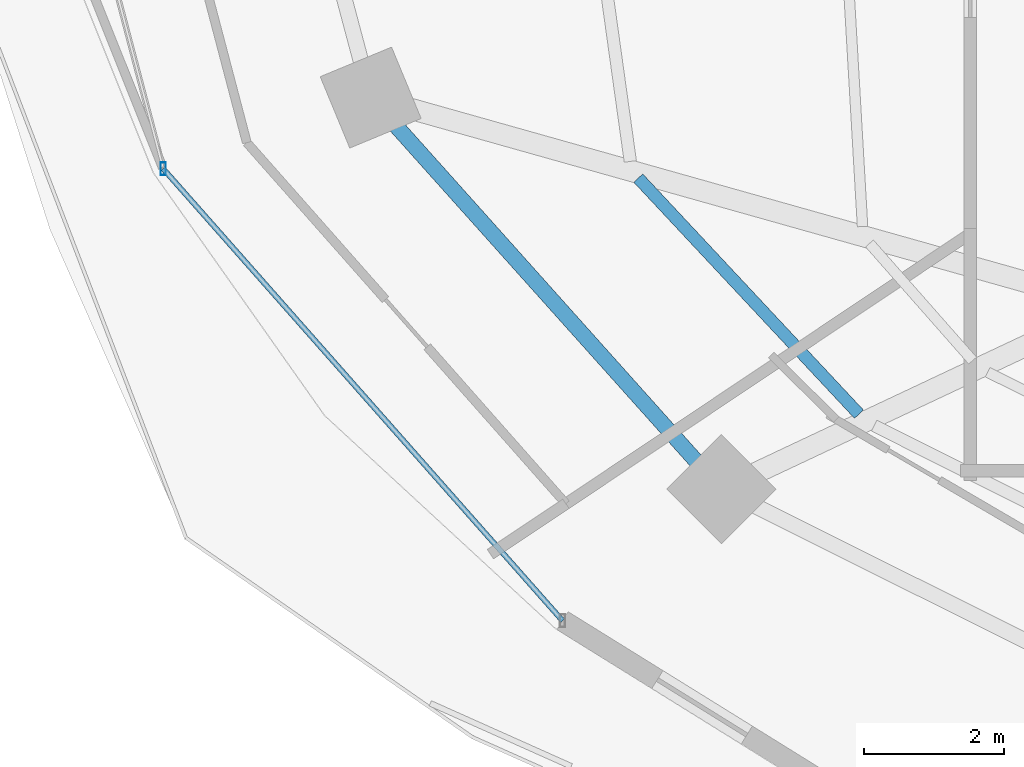
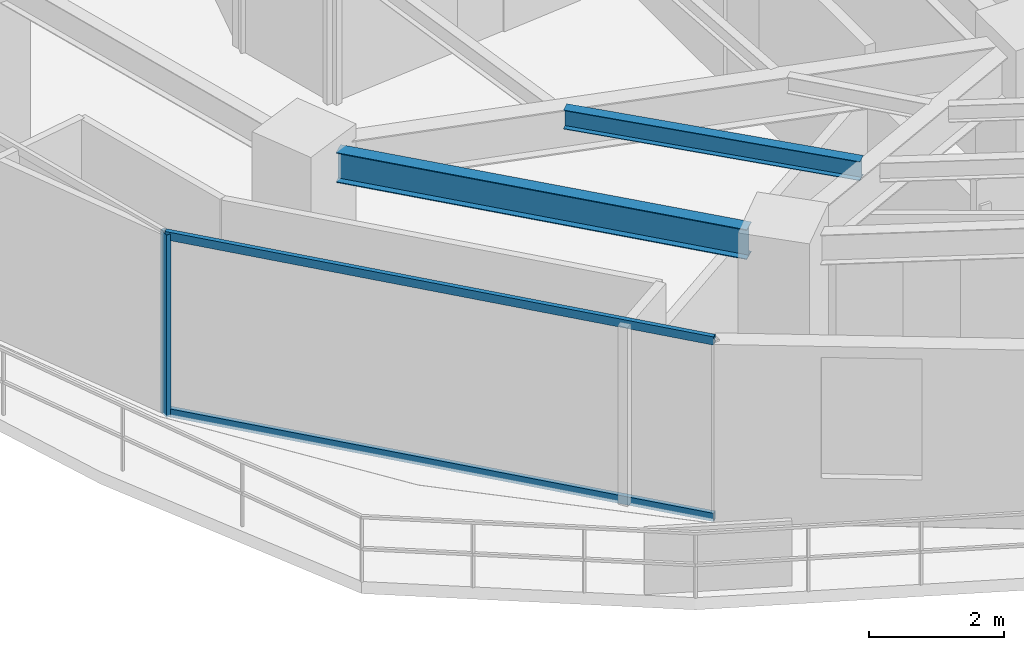
# One storey, part 3 of 29: 3 members, 2 beams, 1 element without a shape of its own.
"""IFC4 building model written with IfcOpenShell, lengths in metres."""

from ifc_helpers import new_model, si_unit, direction, frame, origin, origin_2d, place, context, subcontext, project, spatial, hollow_rectangle, i_section, extrude, material, material_profile, profile_set, type_object, element, aggregate, save


model = new_model("IFC4")

# Units and contexts
model_context = context("Model", 3, precision=1e-05, world=origin(), true_north=direction((0.0, 1.0)))
body_context = subcontext(model_context, "Body", "Model", "MODEL_VIEW")
ifc_project = project(units=[si_unit("LENGTHUNIT", "METRE"), si_unit("AREAUNIT", "SQUARE_METRE"), si_unit("VOLUMEUNIT", "CUBIC_METRE"), si_unit("PLANEANGLEUNIT", "RADIAN"), si_unit("MASSUNIT", "GRAM", prefix="KILO")], contexts=[model_context])

# Site, building, storey
site_placement = place(None, origin())
site = spatial("IfcSite", under=ifc_project, at=site_placement, CompositionType="ELEMENT")
building_placement = place(site_placement, origin())
building = spatial("IfcBuilding", under=site, at=building_placement, Name="Vorneva Point Tower", CompositionType="ELEMENT")
storey_placement = place(building_placement, frame((0.0, 0.0, 82.300048828125)))
storey = spatial("IfcBuildingStorey", under=building, at=storey_placement, Name="L21", CompositionType="ELEMENT", Elevation=82.300048828125)

# Beams
ifc_material_1 = material(Name="Steel S355", Category="steel")
ifc_material_profile_1 = material_profile(ifc_material_1, i_section(OverallWidth=0.174072265625, OverallDepth=0.345947265625, WebThickness=0.006103515625, FlangeThickness=0.009033203125, at=origin_2d()), Name="35B1")
ifc_profile_set_1 = profile_set([ifc_material_profile_1], Name="Steel S355")
beam_type_1 = type_object("IfcBeamType", Name="BM-SEC-35B1", PredefinedType="BEAM", material=ifc_profile_set_1)
beam_1_placement = place(storey_placement, frame((20.517822265625, 18.2705078125, 3.06689453125), z_axis=(0.682901714838, -0.730510265411, 0.0), x_axis=(0.730510265411, 0.682901714838, 0.0)))
element("IfcBeam", 1, at=beam_1_placement, inside=storey, type_object=beam_type_1, Name="L21 Secondary Floor Beam 1.10", PredefinedType="BEAM", context=body_context, shape_type="SweptSolid", body=[
    extrude(i_section(OverallWidth=0.174072265625, OverallDepth=0.345947265625, WebThickness=0.006103515625, FlangeThickness=0.009033203125, at=origin_2d()), origin(), (0.0, 0.0, 1.0), 4.60498046875),
])
ifc_material_profile_2 = material_profile(ifc_material_1, i_section(OverallWidth=0.219970703125, OverallDepth=0.54296875, WebThickness=0.009521484375, FlangeThickness=0.013427734375, at=origin_2d()), Name="55B1")
ifc_profile_set_2 = profile_set([ifc_material_profile_2], Name="Steel S355")
beam_type_2 = type_object("IfcBeamType", Name="BM-SPN-55B1", PredefinedType="SPANDREL", material=ifc_profile_set_2)
beam_2_placement = place(storey_placement, frame((17.0615234375, 19.019287109375, 2.968505859375), z_axis=(0.667073815664, -0.744991627105, 0.0), x_axis=(0.744991627105, 0.667073815664, 0.0)))
element("IfcBeam", 2, at=beam_2_placement, inside=storey, type_object=beam_type_2, Name="L21 Perimeter Spandrel Ring Beam 10", PredefinedType="SPANDREL", context=body_context, shape_type="SweptSolid", body=[
    extrude(i_section(OverallWidth=0.219970703125, OverallDepth=0.54296875, WebThickness=0.009521484375, FlangeThickness=0.013427734375, at=origin_2d()), origin(), (0.0, 0.0, 1.0), 6.420166015625),
])

# Curtain wall, members
ifc_material_2 = material(Name="Pale anodised aluminium", Category="aluminium")
curtain_wall_type = type_object("IfcCurtainWallType", Name="CW-HTL-SYS", PredefinedType="NOTDEFINED", material=ifc_material_2)
curtain_wall_placement = place(storey_placement, origin())
curtain_wall = element("IfcCurtainWall", 3, at=curtain_wall_placement, inside=storey, type_object=curtain_wall_type, Name="L21 Unitised Curtain Wall CW-L21-R02", PredefinedType="NOTDEFINED")
ifc_material_profile_3 = material_profile(ifc_material_2, hollow_rectangle(XDim=0.074951171875, YDim=0.179931640625, WallThickness=0.00390625, at=origin_2d()), Name="AL-MUL 180x75x4")
ifc_profile_set_3 = profile_set([ifc_material_profile_3], Name="Pale anodised aluminium")
member_type_1 = type_object("IfcMemberType", Name="CW-MUL-180", PredefinedType="MULLION", material=ifc_profile_set_3)
member_1_placement = place(storey_placement, frame((13.748291015625, 18.40380859375, -0.0400390625), z_axis=(0.0, 0.0, 1.0), x_axis=(1.0, 0.0, 0.0)))
member_1 = element("IfcMember", 4, at=member_1_placement, type_object=member_type_1, Name="CW-L21-R02 Mullion 04", PredefinedType="MULLION", context=body_context, shape_type="SweptSolid", body=[
    extrude(hollow_rectangle(XDim=0.074951171875, YDim=0.179931640625, WallThickness=0.00390625, at=origin_2d()), origin(), (0.0, 0.0, 1.0), 3.31005859375),
])
ifc_material_profile_4 = material_profile(ifc_material_2, hollow_rectangle(XDim=0.074951171875, YDim=0.14990234375, WallThickness=0.00390625, at=origin_2d()), Name="AL-TRN 150x75x4")
ifc_profile_set_4 = profile_set([ifc_material_profile_4], Name="Pale anodised aluminium")
member_type_2 = type_object("IfcMemberType", Name="CW-TRN-150", PredefinedType="USERDEFINED", material=ifc_profile_set_4)
member_2_placement = place(storey_placement, frame((13.748291015625, 18.40380859375, 0.02001953125), z_axis=(0.662137326257, -0.74938251993, 0.0), x_axis=(0.74938251993, 0.662137326257, 0.0)))
member_2 = element("IfcMember", 5, at=member_2_placement, type_object=member_type_2, Name="CW-L21-R02 Transom 04.1", ObjectType="TRANSOM", PredefinedType="USERDEFINED", context=body_context, shape_type="SweptSolid", body=[
    extrude(hollow_rectangle(XDim=0.074951171875, YDim=0.14990234375, WallThickness=0.00390625, at=origin_2d()), origin(), (0.0, 0.0, 1.0), 8.59375),
])
member_3_placement = place(storey_placement, frame((13.748291015625, 18.40380859375, 3.219970703125), z_axis=(0.662137326257, -0.74938251993, 0.0), x_axis=(0.74938251993, 0.662137326257, 0.0)))
member_3 = element("IfcMember", 6, at=member_3_placement, type_object=member_type_2, Name="CW-L21-R02 Transom 04.2", ObjectType="TRANSOM", PredefinedType="USERDEFINED", context=body_context, shape_type="SweptSolid", body=[
    extrude(hollow_rectangle(XDim=0.074951171875, YDim=0.14990234375, WallThickness=0.00390625, at=origin_2d()), origin(), (0.0, 0.0, 1.0), 8.59375),
])
aggregate(curtain_wall, [member_1, member_2, member_3])

save(model, "model.ifc")
